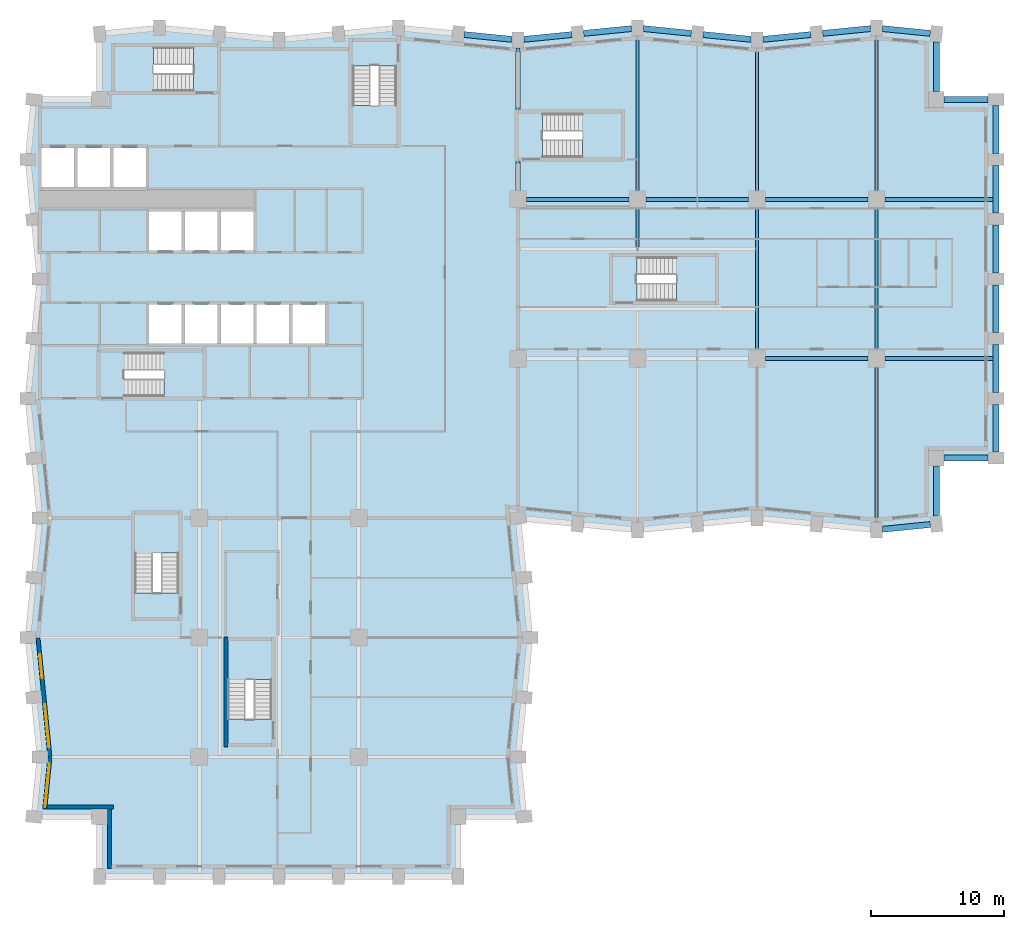
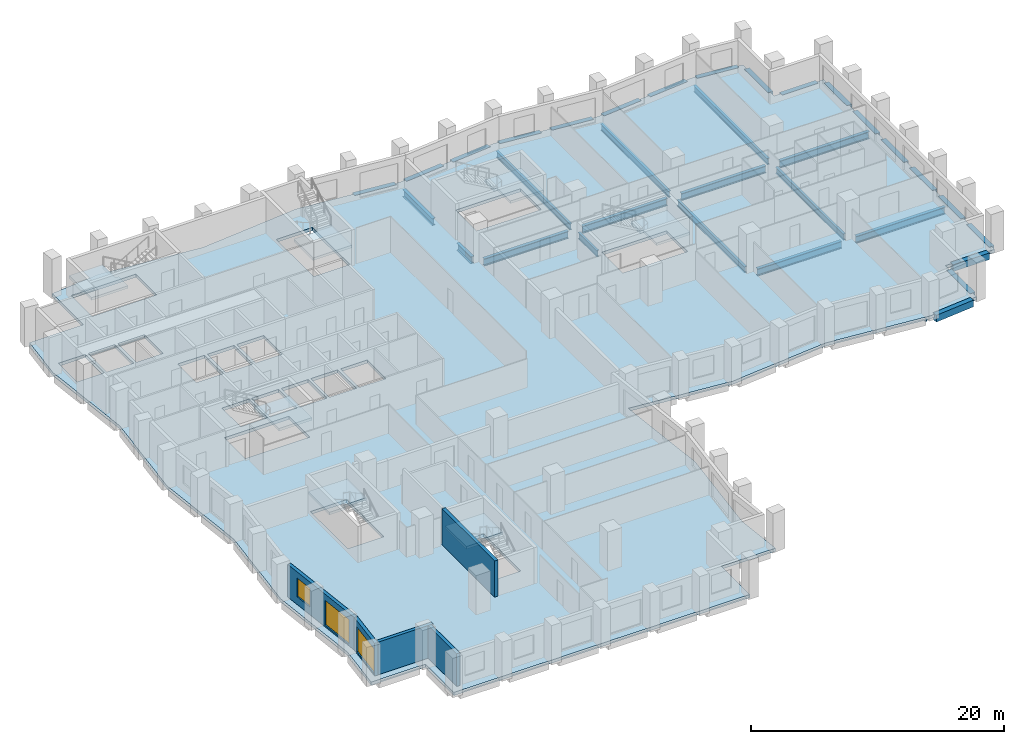
# One storey, part 2 of 11: 34 beams, 8 slabs, 5 walls, 3 windows, 3 openings, 7 elements without a shape of their own.
"""IFC4 building model written with IfcOpenShell, lengths in metres."""

from ifc_helpers import new_model, si_unit, direction, frame, frame_2d, origin, origin_2d, place, context, subcontext, project, spatial, polyline, rectangle, i_section, outline, extrude, material, layer, layer_set, material_profile, profile_set, type_object, element, fill, aggregate, save


model = new_model("IFC4")

# Units and contexts
model_context = context("Model", 3, precision=1e-05, world=origin(), true_north=direction((0.0, 1.0)))
body_context = subcontext(model_context, "Body", "Model", "MODEL_VIEW")
ifc_project = project(units=[si_unit("LENGTHUNIT", "METRE"), si_unit("AREAUNIT", "SQUARE_METRE"), si_unit("VOLUMEUNIT", "CUBIC_METRE"), si_unit("PLANEANGLEUNIT", "RADIAN"), si_unit("MASSUNIT", "GRAM", prefix="KILO")], contexts=[model_context])

# Site, building, storey
site_placement = place(None, origin())
site = spatial("IfcSite", under=ifc_project, at=site_placement, CompositionType="ELEMENT")
building_placement = place(site_placement, origin())
building = spatial("IfcBuilding", under=site, at=building_placement, Name="Brondeck Convention Tower", CompositionType="ELEMENT")
storey_placement = place(building_placement, frame((0.0, 0.0, 126.5)))
storey = spatial("IfcBuildingStorey", under=building, at=storey_placement, Name="L30", CompositionType="ELEMENT", Elevation=126.5)

# Beams
ifc_material_1 = material(Name="Steel S355", Category="steel")
ifc_material_profile_1 = material_profile(ifc_material_1, i_section(OverallWidth=0.219970703125, OverallDepth=0.60009765625, WebThickness=0.011962890625, FlangeThickness=0.01904296875, FilletRadius=0.02392578125, at=origin_2d()), Name="IPE 600")
ifc_profile_set_1 = profile_set([ifc_material_profile_1], Name="Steel S355")
beam_type_1 = type_object("IfcBeamType", Name="Floor beam IPE 600", PredefinedType="BEAM", material=ifc_profile_set_1)
beam_1_placement = place(storey_placement, frame((45.0, 51.64990234375, -0.60009765625), z_axis=(0.0, 1.0, 0.0), x_axis=(-1.0, 0.0, 0.0)))
element("IfcBeam", 1, at=beam_1_placement, inside=storey, type_object=beam_type_1, Name="STR-FB-L30-002", PredefinedType="BEAM", context=body_context, shape_type="SweptSolid", body=[
    extrude(i_section(OverallWidth=0.219970703125, OverallDepth=0.60009765625, WebThickness=0.011962890625, FlangeThickness=0.01904296875, FilletRadius=0.02392578125, at=origin_2d()), origin(), (0.0, 0.0, 1.0), 11.650146484375),
])
beam_2_placement = place(storey_placement, frame((54.0, 39.64990234375, -0.60009765625), z_axis=(0.0, 1.0, 0.0), x_axis=(-1.0, 0.0, 0.0)))
element("IfcBeam", 2, at=beam_2_placement, inside=storey, type_object=beam_type_1, Name="STR-FB-L30-004", PredefinedType="BEAM", context=body_context, shape_type="SweptSolid", body=[
    extrude(i_section(OverallWidth=0.219970703125, OverallDepth=0.60009765625, WebThickness=0.011962890625, FlangeThickness=0.01904296875, FilletRadius=0.02392578125, at=origin_2d()), origin(), (0.0, 0.0, 1.0), 10.7001953125),
])
beam_3_placement = place(storey_placement, frame((54.0, 51.64990234375, -0.60009765625), z_axis=(0.0, 1.0, 0.0), x_axis=(-1.0, 0.0, 0.0)))
element("IfcBeam", 3, at=beam_3_placement, inside=storey, type_object=beam_type_1, Name="STR-FB-L30-005", PredefinedType="BEAM", context=body_context, shape_type="SweptSolid", body=[
    extrude(i_section(OverallWidth=0.219970703125, OverallDepth=0.60009765625, WebThickness=0.011962890625, FlangeThickness=0.01904296875, FilletRadius=0.02392578125, at=origin_2d()), origin(), (0.0, 0.0, 1.0), 10.75),
])
beam_4_placement = place(storey_placement, frame((63.0, 26.699951171875, -0.60009765625), z_axis=(0.0, 1.0, 0.0), x_axis=(-1.0, 0.0, 0.0)))
element("IfcBeam", 4, at=beam_4_placement, inside=storey, type_object=beam_type_1, Name="STR-FB-L30-006", PredefinedType="BEAM", context=body_context, shape_type="SweptSolid", body=[
    extrude(i_section(OverallWidth=0.219970703125, OverallDepth=0.60009765625, WebThickness=0.011962890625, FlangeThickness=0.01904296875, FilletRadius=0.02392578125, at=origin_2d()), origin(), (0.0, 0.0, 1.0), 11.650146484375),
])
beam_5_placement = place(storey_placement, frame((63.0, 39.64990234375, -0.60009765625), z_axis=(0.0, 1.0, 0.0), x_axis=(-1.0, 0.0, 0.0)))
element("IfcBeam", 5, at=beam_5_placement, inside=storey, type_object=beam_type_1, Name="STR-FB-L30-007", PredefinedType="BEAM", context=body_context, shape_type="SweptSolid", body=[
    extrude(i_section(OverallWidth=0.219970703125, OverallDepth=0.60009765625, WebThickness=0.011962890625, FlangeThickness=0.01904296875, FilletRadius=0.02392578125, at=origin_2d()), origin(), (0.0, 0.0, 1.0), 10.7001953125),
])
beam_6_placement = place(storey_placement, frame((63.0, 51.64990234375, -0.60009765625), z_axis=(0.0, 1.0, 0.0), x_axis=(-1.0, 0.0, 0.0)))
element("IfcBeam", 6, at=beam_6_placement, inside=storey, type_object=beam_type_1, Name="STR-FB-L30-008", PredefinedType="BEAM", context=body_context, shape_type="SweptSolid", body=[
    extrude(i_section(OverallWidth=0.219970703125, OverallDepth=0.60009765625, WebThickness=0.011962890625, FlangeThickness=0.01904296875, FilletRadius=0.02392578125, at=origin_2d()), origin(), (0.0, 0.0, 1.0), 11.650146484375),
])
beam_7_placement = place(storey_placement, frame((45.0, 47.39990234375, -0.60009765625), z_axis=(0.0, 1.0, 0.0), x_axis=(-1.0, 0.0, 0.0)))
element("IfcBeam", 7, at=beam_7_placement, inside=storey, type_object=beam_type_1, Name="STR-FB-L30-015", PredefinedType="BEAM", context=body_context, shape_type="SweptSolid", body=[
    extrude(i_section(OverallWidth=0.219970703125, OverallDepth=0.60009765625, WebThickness=0.011962890625, FlangeThickness=0.01904296875, FilletRadius=0.02392578125, at=origin_2d()), origin(), (0.0, 0.0, 1.0), 2.9501953125),
])
ifc_material_profile_2 = material_profile(ifc_material_1, i_section(OverallWidth=0.300048828125, OverallDepth=0.699951171875, WebThickness=0.01708984375, FlangeThickness=0.031982421875, FilletRadius=0.027099609375, at=origin_2d()), Name="HEB 700")
ifc_profile_set_2 = profile_set([ifc_material_profile_2], Name="Steel S355")
beam_type_2 = type_object("IfcBeamType", Name="Girder HEB 700", PredefinedType="BEAM", material=ifc_profile_set_2)
beam_8_placement = place(storey_placement, frame((54.64990234375, 39.0, -0.64990234375), z_axis=(1.0, 0.0, 0.0), x_axis=(0.0, 1.0, 0.0)))
element("IfcBeam", 8, at=beam_8_placement, inside=storey, type_object=beam_type_2, Name="STR-GR-L30-003", PredefinedType="BEAM", context=body_context, shape_type="SweptSolid", body=[
    extrude(i_section(OverallWidth=0.300048828125, OverallDepth=0.699951171875, WebThickness=0.01708984375, FlangeThickness=0.031982421875, FilletRadius=0.027099609375, at=origin_2d()), origin(), (0.0, 0.0, 1.0), 7.7001953125),
])
beam_9_placement = place(storey_placement, frame((63.64990234375, 39.0, -0.64990234375), z_axis=(1.0, 0.0, 0.0), x_axis=(0.0, 1.0, 0.0)))
element("IfcBeam", 9, at=beam_9_placement, inside=storey, type_object=beam_type_2, Name="STR-GR-L30-004", PredefinedType="BEAM", context=body_context, shape_type="SweptSolid", body=[
    extrude(i_section(OverallWidth=0.300048828125, OverallDepth=0.699951171875, WebThickness=0.01708984375, FlangeThickness=0.031982421875, FilletRadius=0.027099609375, at=origin_2d()), origin(), (0.0, 0.0, 1.0), 8.125),
])
for number, where, z_axis, x_axis, name in (
    (10, (36.64990234375, 51.0, -0.64990234375), (1.0, 0.0, 0.0), (0.0, 1.0, 0.0), "STR-GR-L30-005"),
    (11, (45.64990234375, 51.0, -0.64990234375), (1.0, 0.0, 0.0), (0.0, 1.0, 0.0), "STR-GR-L30-006"),
    (12, (54.64990234375, 51.0, -0.64990234375), (1.0, 0.0, 0.0), (0.0, 1.0, 0.0), "STR-GR-L30-007"),
):
    element("IfcBeam", number, at=place(storey_placement, frame(where, z_axis=z_axis, x_axis=x_axis)), inside=storey, type_object=beam_type_2, Name=name, PredefinedType="BEAM", context=body_context, shape_type="SweptSolid", body=[
        extrude(i_section(OverallWidth=0.300048828125, OverallDepth=0.699951171875, WebThickness=0.01708984375, FlangeThickness=0.031982421875, FilletRadius=0.027099609375, at=origin_2d()), origin(), (0.0, 0.0, 1.0), 7.7001953125),
    ])
beam_10_placement = place(storey_placement, frame((63.64990234375, 51.0, -0.64990234375), z_axis=(1.0, 0.0, 0.0), x_axis=(0.0, 1.0, 0.0)))
element("IfcBeam", 13, at=beam_10_placement, inside=storey, type_object=beam_type_2, Name="STR-GR-L30-008", PredefinedType="BEAM", context=body_context, shape_type="SweptSolid", body=[
    extrude(i_section(OverallWidth=0.300048828125, OverallDepth=0.699951171875, WebThickness=0.01708984375, FlangeThickness=0.031982421875, FilletRadius=0.027099609375, at=origin_2d()), origin(), (0.0, 0.0, 1.0), 8.125),
])
beam_11_placement = place(storey_placement, frame((36.0, 51.64990234375, -0.64990234375), z_axis=(0.0, 1.0, 0.0), x_axis=(-1.0, 0.0, 0.0)))
element("IfcBeam", 14, at=beam_11_placement, inside=storey, type_object=beam_type_2, Name="STR-GR-L30-011", PredefinedType="BEAM", context=body_context, shape_type="SweptSolid", body=[
    extrude(i_section(OverallWidth=0.300048828125, OverallDepth=0.699951171875, WebThickness=0.01708984375, FlangeThickness=0.031982421875, FilletRadius=0.027099609375, at=origin_2d()), origin(), (0.0, 0.0, 1.0), 2.22998046875),
])
beam_12_placement = place(storey_placement, frame((36.0, 57.719970703125, -0.64990234375), z_axis=(0.0, 1.0, 0.0), x_axis=(-1.0, 0.0, 0.0)))
element("IfcBeam", 15, at=beam_12_placement, inside=storey, type_object=beam_type_2, Name="STR-GR-L30-012", PredefinedType="BEAM", context=body_context, shape_type="SweptSolid", body=[
    extrude(i_section(OverallWidth=0.300048828125, OverallDepth=0.699951171875, WebThickness=0.01708984375, FlangeThickness=0.031982421875, FilletRadius=0.027099609375, at=origin_2d()), origin(), (0.0, 0.0, 1.0), 4.679931640625),
])
ifc_material_2 = material(Name="Concrete C70/85", Category="concrete")
ifc_material_profile_3 = material_profile(ifc_material_2, rectangle(XDim=0.449951171875, YDim=0.64990234375, at=origin_2d()), Name="Precast spandrel 450x650 Concrete C70/85")
ifc_profile_set_3 = profile_set([ifc_material_profile_3], Name="Concrete C70/85")
beam_type_3 = type_object("IfcBeamType", Name="Precast spandrel 450x650 Concrete C70/85", PredefinedType="SPANDREL", material=ifc_profile_set_3)
beam_13_placement = place(storey_placement, frame((63.449951171875, 26.14501953125, -0.324951171875), z_axis=(0.995040528141, 0.099470334057, 0.0), x_axis=(-0.099470334057, 0.995040528141, 0.0)))
element("IfcBeam", 16, at=beam_13_placement, inside=storey, type_object=beam_type_3, Name="STR-SP-L30-020", PredefinedType="SPANDREL", context=body_context, shape_type="SweptSolid", body=[
    extrude(rectangle(XDim=0.449951171875, YDim=0.64990234375, at=origin_2d()), origin(), (0.0, 0.0, 1.0), 3.620361328125),
])
beam_14_placement = place(storey_placement, frame((67.5, 27.153076171875, -0.324951171875), z_axis=(0.0, 1.0, 0.0), x_axis=(-1.0, 0.0, 0.0)))
element("IfcBeam", 17, at=beam_14_placement, inside=storey, type_object=beam_type_3, Name="STR-SP-L30-021", PredefinedType="SPANDREL", context=body_context, shape_type="SweptSolid", body=[
    extrude(rectangle(XDim=0.449951171875, YDim=0.64990234375, at=origin_2d()), origin(), (0.0, 0.0, 1.0), 3.746826171875),
])
beam_15_placement = place(storey_placement, frame((68.10009765625, 31.5, -0.324951171875), z_axis=(1.0, 0.0, 0.0), x_axis=(0.0, 1.0, 0.0)))
element("IfcBeam", 18, at=beam_15_placement, inside=storey, type_object=beam_type_3, Name="STR-SP-L30-022", PredefinedType="SPANDREL", context=body_context, shape_type="SweptSolid", body=[
    extrude(rectangle(XDim=0.449951171875, YDim=0.64990234375, at=origin_2d()), origin(), (0.0, 0.0, 1.0), 3.2998046875),
])
for number, where, z_axis, x_axis, name in (
    (19, (72.0, 31.949951171875, -0.324951171875), (0.0, 1.0, 0.0), (-1.0, 0.0, 0.0), "STR-SP-L30-023"),
    (20, (72.0, 36.449951171875, -0.324951171875), (0.0, 1.0, 0.0), (-1.0, 0.0, 0.0), "STR-SP-L30-024"),
    (21, (72.0, 40.949951171875, -0.324951171875), (0.0, 1.0, 0.0), (-1.0, 0.0, 0.0), "STR-SP-L30-025"),
    (22, (72.0, 45.449951171875, -0.324951171875), (0.0, 1.0, 0.0), (-1.0, 0.0, 0.0), "STR-SP-L30-026"),
    (23, (72.0, 49.949951171875, -0.324951171875), (0.0, 1.0, 0.0), (-1.0, 0.0, 0.0), "STR-SP-L30-027"),
    (24, (72.0, 54.449951171875, -0.324951171875), (0.0, 1.0, 0.0), (-1.0, 0.0, 0.0), "STR-SP-L30-028"),
):
    element("IfcBeam", number, at=place(storey_placement, frame(where, z_axis=z_axis, x_axis=x_axis)), inside=storey, type_object=beam_type_3, Name=name, PredefinedType="SPANDREL", context=body_context, shape_type="SweptSolid", body=[
        extrude(rectangle(XDim=0.449951171875, YDim=0.64990234375, at=origin_2d()), origin(), (0.0, 0.0, 1.0), 3.60009765625),
    ])
beam_16_placement = place(storey_placement, frame((71.39990234375, 58.5, -0.324951171875), z_axis=(-1.0, 0.0, 0.0), x_axis=(0.0, -1.0, 0.0)))
element("IfcBeam", 25, at=beam_16_placement, inside=storey, type_object=beam_type_3, Name="STR-SP-L30-029", PredefinedType="SPANDREL", context=body_context, shape_type="SweptSolid", body=[
    extrude(rectangle(XDim=0.449951171875, YDim=0.64990234375, at=origin_2d()), origin(), (0.0, 0.0, 1.0), 3.2998046875),
])
beam_17_placement = place(storey_placement, frame((67.5, 59.10009765625, -0.324951171875), z_axis=(0.0, 1.0, 0.0), x_axis=(-1.0, 0.0, 0.0)))
element("IfcBeam", 26, at=beam_17_placement, inside=storey, type_object=beam_type_3, Name="STR-SP-L30-030", PredefinedType="SPANDREL", context=body_context, shape_type="SweptSolid", body=[
    extrude(rectangle(XDim=0.449951171875, YDim=0.64990234375, at=origin_2d()), origin(), (0.0, 0.0, 1.0), 3.746826171875),
])
for number, where, z_axis, x_axis, name in (
    (27, (67.05224609375, 63.494873046875, -0.324951171875), (-0.995040528141, 0.099470334057, 0.0), (-0.099470334057, -0.995040528141, 0.0), "STR-SP-L30-031"),
    (28, (62.550048828125, 63.85498046875, -0.324951171875), (-0.995040528141, -0.099470334057, 0.0), (0.099470334057, -0.995040528141, 0.0), "STR-SP-L30-032"),
    (29, (58.05224609375, 63.4052734375, -0.324951171875), (-0.995033851182, -0.099537103649, 0.0), (0.099537103649, -0.995033851182, 0.0), "STR-SP-L30-033"),
    (30, (53.550048828125, 63.044921875, -0.324951171875), (-0.995033851182, 0.099537103649, 0.0), (-0.099537103649, -0.995033851182, 0.0), "STR-SP-L30-034"),
    (31, (49.05224609375, 63.494873046875, -0.324951171875), (-0.995040528141, 0.099470334057, 0.0), (-0.099470334057, -0.995040528141, 0.0), "STR-SP-L30-035"),
    (32, (44.550048828125, 63.85498046875, -0.324951171875), (-0.995040528141, -0.099470334057, 0.0), (0.099470334057, -0.995040528141, 0.0), "STR-SP-L30-036"),
    (33, (40.05224609375, 63.4052734375, -0.324951171875), (-0.995033851182, -0.099537103649, 0.0), (0.099537103649, -0.995033851182, 0.0), "STR-SP-L30-037"),
    (34, (35.550048828125, 63.044921875, -0.324951171875), (-0.995033851182, 0.099537103649, 0.0), (-0.099537103649, -0.995033851182, 0.0), "STR-SP-L30-038"),
):
    element("IfcBeam", number, at=place(storey_placement, frame(where, z_axis=z_axis, x_axis=x_axis)), inside=storey, type_object=beam_type_3, Name=name, PredefinedType="SPANDREL", context=body_context, shape_type="SweptSolid", body=[
        extrude(rectangle(XDim=0.449951171875, YDim=0.64990234375, at=origin_2d()), origin(), (0.0, 0.0, 1.0), 3.620361328125),
    ])

# Slab
ifc_material_3 = material(Name="Concrete C35/45", Category="concrete")
ifc_layer_1 = layer(ifc_material_3, 0.300048828125)
ifc_layer_set_1 = layer_set([ifc_layer_1], Name="Composite floor slab 300")
slab_type_1 = type_object("IfcSlabType", Name="Composite floor slab 300", PredefinedType="FLOOR", material=ifc_layer_set_1)
slab_1_placement = place(storey_placement, frame((0.0, 0.0, -0.300048828125)))
element("IfcSlab", 35, at=slab_1_placement, inside=storey, type_object=slab_type_1, Name="STR-SL-L30", PredefinedType="FLOOR", context=body_context, shape_type="SweptSolid", body=[
    extrude(outline(polyline([(4.5, 4.5), (-0.449951171875, 4.5), (0.0, 9.0), (-0.89990234375, 18.0), (0.0, 27.0), (-0.89990234375, 36.0), (0.0, 45.0), (-0.89990234375, 54.0), (-0.449951171875, 58.5), (4.5, 58.5), (4.5, 63.449951171875), (9.0, 63.89990234375), (18.0, 63.0), (27.0, 63.89990234375), (36.0, 63.0), (45.0, 63.89990234375), (54.0, 63.0), (63.0, 63.89990234375), (67.5, 63.449951171875), (67.5, 58.5), (72.0, 58.5), (72.0, 31.5), (67.5, 31.5), (67.5, 26.550048828125), (63.0, 26.10009765625), (54.0, 27.0), (45.0, 26.10009765625), (36.0, 27.0), (36.89990234375, 18.0), (36.0, 9.0), (36.449951171875, 4.5), (31.5, 4.5), (31.5, 0.0), (4.5, 0.0), (4.5, 4.5)]), holes=[polyline([(10.447998046875, 27.248046875), (7.152099609375, 27.248046875), (7.152099609375, 21.35205078125), (10.447998046875, 21.35205078125), (10.447998046875, 27.248046875)]), polyline([(12.248046875, 36.152099609375), (12.248046875, 39.447998046875), (6.35205078125, 39.447998046875), (6.35205078125, 36.152099609375), (12.248046875, 36.152099609375)]), polyline([(10.675048828125, 40.125), (10.675048828125, 43.074951171875), (8.22509765625, 43.074951171875), (8.22509765625, 40.125), (10.675048828125, 40.125)]), polyline([(10.675048828125, 47.125), (10.675048828125, 50.074951171875), (8.22509765625, 50.074951171875), (8.22509765625, 47.125), (10.675048828125, 47.125)]), polyline([(13.375, 47.125), (13.375, 50.074951171875), (10.925048828125, 50.074951171875), (10.925048828125, 47.125), (13.375, 47.125)]), polyline([(2.574951171875, 51.925048828125), (2.574951171875, 54.875), (0.125, 54.875), (0.125, 51.925048828125), (2.574951171875, 51.925048828125)]), polyline([(5.27490234375, 51.925048828125), (5.27490234375, 54.875), (2.824951171875, 54.875), (2.824951171875, 51.925048828125), (5.27490234375, 51.925048828125)]), polyline([(5.52490234375, 51.925048828125), (7.97509765625, 51.925048828125), (7.97509765625, 54.875), (5.52490234375, 54.875), (5.52490234375, 51.925048828125)]), polyline([(11.548095703125, 62.447998046875), (5.652099609375, 62.447998046875), (5.652099609375, 59.152099609375), (11.548095703125, 59.152099609375), (11.548095703125, 62.447998046875)]), polyline([(17.447998046875, 17.748046875), (14.152099609375, 17.748046875), (14.152099609375, 11.85205078125), (17.447998046875, 11.85205078125), (17.447998046875, 17.748046875)]), polyline([(13.375, 40.125), (13.375, 43.074951171875), (10.925048828125, 43.074951171875), (10.925048828125, 40.125), (13.375, 40.125)]), polyline([(16.074951171875, 40.125), (16.074951171875, 43.074951171875), (13.625, 43.074951171875), (13.625, 40.125), (16.074951171875, 40.125)]), polyline([(18.77490234375, 40.125), (18.77490234375, 43.074951171875), (16.324951171875, 43.074951171875), (16.324951171875, 40.125), (18.77490234375, 40.125)]), polyline([(21.47509765625, 40.125), (21.47509765625, 43.074951171875), (19.02490234375, 43.074951171875), (19.02490234375, 40.125), (21.47509765625, 40.125)]), polyline([(50.847900390625, 43.35205078125), (50.847900390625, 46.64794921875), (44.951904296875, 46.64794921875), (44.951904296875, 43.35205078125), (50.847900390625, 43.35205078125)]), polyline([(16.074951171875, 47.125), (16.074951171875, 50.074951171875), (13.625, 50.074951171875), (13.625, 47.125), (16.074951171875, 47.125)]), polyline([(37.85205078125, 54.152099609375), (43.748046875, 54.152099609375), (43.748046875, 57.447998046875), (37.85205078125, 57.447998046875), (37.85205078125, 54.152099609375)]), polyline([(23.552001953125, 61.048095703125), (23.552001953125, 55.152099609375), (26.847900390625, 55.152099609375), (26.847900390625, 61.048095703125), (23.552001953125, 61.048095703125)])]), origin(), (0.0, 0.0, 1.0), 0.300048828125),
])

# Stair, slab
ifc_material_4 = material(Name="Precast concrete C50/60", Category="concrete")
stair_type = type_object("IfcStairType", Name="Core stair 22 risers 172.73 mm riser 300 mm going 1350 wide", PredefinedType="HALF_TURN_STAIR", material=ifc_material_4)
stair_1_placement = place(storey_placement, origin())
stair_1 = element("IfcStair", 36, at=stair_1_placement, inside=storey, type_object=stair_type, Name="ST-1 L30 stair", PredefinedType="HALF_TURN_STAIR")
ifc_layer_2 = layer(ifc_material_4, 0.25)
ifc_layer_set_2 = layer_set([ifc_layer_2], Name="Core stair landing 250 Precast concrete C50/60")
slab_type_2 = type_object("IfcSlabType", Name="Core stair landing 250 Precast concrete C50/60", PredefinedType="LANDING", material=ifc_layer_set_2)
slab_2_placement = place(storey_placement, frame((0.0, 0.0, 1.64990234375)))
slab_2 = element("IfcSlab", 37, at=slab_2_placement, type_object=slab_type_2, Name="ST-1 landing 1", PredefinedType="LANDING", context=body_context, shape_type="SweptSolid", body=[
    extrude(outline(polyline([(9.347900390625, 37.5), (9.35009765625, 37.5), (9.35009765625, 38.10009765625), (9.050048828125, 38.10009765625), (9.050048828125, 39.570068359375), (12.3701171875, 39.570068359375), (12.3701171875, 36.030029296875), (9.347900390625, 36.030029296875), (9.347900390625, 37.5)])), origin(), (0.0, 0.0, 1.0), 0.25),
])
aggregate(stair_1, [slab_2])

stair_2_placement = place(storey_placement, origin())
stair_2 = element("IfcStair", 38, at=stair_2_placement, inside=storey, type_object=stair_type, Name="ST-2 L30 stair", PredefinedType="HALF_TURN_STAIR")
slab_3_placement = place(storey_placement, frame((0.0, 0.0, 1.64990234375)))
slab_3 = element("IfcSlab", 39, at=slab_3_placement, type_object=slab_type_2, Name="ST-2 landing 1", PredefinedType="LANDING", context=body_context, shape_type="SweptSolid", body=[
    extrude(outline(polyline([(23.429931640625, 58.052001953125), (24.89990234375, 58.052001953125), (24.89990234375, 58.050048828125), (25.5, 58.050048828125), (25.5, 58.35009765625), (26.969970703125, 58.35009765625), (26.969970703125, 55.030029296875), (23.429931640625, 55.030029296875), (23.429931640625, 58.052001953125)])), origin(), (0.0, 0.0, 1.0), 0.25),
])
aggregate(stair_2, [slab_3])

stair_3_placement = place(storey_placement, origin())
stair_3 = element("IfcStair", 40, at=stair_3_placement, inside=storey, type_object=stair_type, Name="ST-3 L30 stair", PredefinedType="HALF_TURN_STAIR")
slab_4_placement = place(storey_placement, frame((0.0, 0.0, 1.64990234375)))
slab_4 = element("IfcSlab", 41, at=slab_4_placement, type_object=slab_type_2, Name="ST-3 landing 1", PredefinedType="LANDING", context=body_context, shape_type="SweptSolid", body=[
    extrude(outline(polyline([(8.85009765625, 60.5), (8.85009765625, 59.030029296875), (5.530029296875, 59.030029296875), (5.530029296875, 62.570068359375), (8.552001953125, 62.570068359375), (8.552001953125, 61.10009765625), (8.550048828125, 61.10009765625), (8.550048828125, 60.5), (8.85009765625, 60.5)])), origin(), (0.0, 0.0, 1.0), 0.25),
])
aggregate(stair_3, [slab_4])

stair_4_placement = place(storey_placement, origin())
stair_4 = element("IfcStair", 42, at=stair_4_placement, inside=storey, type_object=stair_type, Name="ST-AE L30 stair", PredefinedType="HALF_TURN_STAIR")
slab_5_placement = place(storey_placement, frame((0.0, 0.0, 1.64990234375)))
slab_5 = element("IfcSlab", 43, at=slab_5_placement, type_object=slab_type_2, Name="ST-AE landing 1", PredefinedType="LANDING", context=body_context, shape_type="SweptSolid", body=[
    extrude(outline(polyline([(40.847900390625, 55.5), (40.85009765625, 55.5), (40.85009765625, 56.10009765625), (40.550048828125, 56.10009765625), (40.550048828125, 57.570068359375), (43.8701171875, 57.570068359375), (43.8701171875, 54.030029296875), (40.847900390625, 54.030029296875), (40.847900390625, 55.5)])), origin(), (0.0, 0.0, 1.0), 0.25),
])
aggregate(stair_4, [slab_5])

stair_5_placement = place(storey_placement, origin())
stair_5 = element("IfcStair", 44, at=stair_5_placement, inside=storey, type_object=stair_type, Name="ST-BE L30 stair", PredefinedType="HALF_TURN_STAIR")
slab_6_placement = place(storey_placement, frame((0.0, 0.0, 1.64990234375)))
slab_6 = element("IfcSlab", 45, at=slab_6_placement, type_object=slab_type_2, Name="ST-BE landing 1", PredefinedType="LANDING", context=body_context, shape_type="SweptSolid", body=[
    extrude(outline(polyline([(7.030029296875, 24.050048828125), (7.030029296875, 27.3701171875), (10.570068359375, 27.3701171875), (10.570068359375, 24.347900390625), (9.10009765625, 24.347900390625), (9.10009765625, 24.35009765625), (8.5, 24.35009765625), (8.5, 24.050048828125), (7.030029296875, 24.050048828125)])), origin(), (0.0, 0.0, 1.0), 0.25),
])
aggregate(stair_5, [slab_6])

stair_6_placement = place(storey_placement, origin())
stair_6 = element("IfcStair", 46, at=stair_6_placement, inside=storey, type_object=stair_type, Name="ST-AF L30 stair", PredefinedType="HALF_TURN_STAIR")
slab_7_placement = place(storey_placement, frame((0.0, 0.0, 1.64990234375)))
slab_7 = element("IfcSlab", 47, at=slab_7_placement, type_object=slab_type_2, Name="ST-AF landing 1", PredefinedType="LANDING", context=body_context, shape_type="SweptSolid", body=[
    extrude(outline(polyline([(47.947998046875, 44.699951171875), (47.949951171875, 44.699951171875), (47.949951171875, 45.300048828125), (47.64990234375, 45.300048828125), (47.64990234375, 46.77001953125), (50.969970703125, 46.77001953125), (50.969970703125, 43.22998046875), (47.947998046875, 43.22998046875), (47.947998046875, 44.699951171875)])), origin(), (0.0, 0.0, 1.0), 0.25),
])
aggregate(stair_6, [slab_7])

stair_7_placement = place(storey_placement, origin())
stair_7 = element("IfcStair", 48, at=stair_7_placement, inside=storey, type_object=stair_type, Name="ST-BF L30 stair", PredefinedType="HALF_TURN_STAIR")
slab_8_placement = place(storey_placement, frame((0.0, 0.0, 1.64990234375)))
slab_8 = element("IfcSlab", 49, at=slab_8_placement, type_object=slab_type_2, Name="ST-BF landing 1", PredefinedType="LANDING", context=body_context, shape_type="SweptSolid", body=[
    extrude(outline(polyline([(14.030029296875, 14.550048828125), (14.030029296875, 17.8701171875), (17.570068359375, 17.8701171875), (17.570068359375, 14.847900390625), (16.10009765625, 14.847900390625), (16.10009765625, 14.85009765625), (15.5, 14.85009765625), (15.5, 14.550048828125), (14.030029296875, 14.550048828125)])), origin(), (0.0, 0.0, 1.0), 0.25),
])
aggregate(stair_7, [slab_8])

# Wall, openings, windows
ifc_material_5 = material(Name="Precast concrete C50/60 bronze finish", Category="concrete")
ifc_layer_3 = layer(ifc_material_5, 0.070068359375, Name="Bronze precast facing")
ifc_material_6 = material(Name="Mineral wool")
ifc_layer_4 = layer(ifc_material_6, 0.159912109375, Name="Insulation")
ifc_layer_5 = layer(ifc_material_3, 0.070068359375, Name="Backing")
ifc_layer_set_3 = layer_set([ifc_layer_3, ifc_layer_4, ifc_layer_5], Name="External infill wall, precast concrete C50/60 bronze facing")
wall_type_1 = type_object("IfcWallType", Name="External infill wall, precast concrete C50/60 bronze facing", PredefinedType="SOLIDWALL", material=ifc_layer_set_3)
wall_1_placement = place(storey_placement, frame((0.755126953125, 8.985107421875, 0.0), z_axis=(0.0, 0.0, 1.0), x_axis=(-0.099495688264, 0.995037993253, 0.0)))
wall_1 = element("IfcWall", 50, at=wall_1_placement, inside=storey, type_object=wall_type_1, Name="ENV-EW-L30-P0-B-W-10", PredefinedType="SOLIDWALL", context=body_context, shape_type="SweptSolid", body=[
    extrude(rectangle(XDim=9.030029296875, YDim=0.300048828125, at=frame_2d((4.51513671875, 0.0))), origin(), (0.0, 0.0, 1.0), 3.14990234375),
])
opening_1_placement = place(wall_1_placement, frame((0.701171875, 0.0, 0.14990234375)))
opening_1 = element("IfcOpeningElement", 51, at=opening_1_placement, cuts=wall_1, Name="Opening W9", PredefinedType="OPENING", context=body_context, shape_type="SweptSolid", body=[
    extrude(rectangle(XDim=3.300048828125, YDim=2.39990234375, at=frame_2d((1.64990234375, 1.199951171875))), frame((0.0, 0.159912109375, 0.0), z_axis=(0.0, -1.0, 0.0), x_axis=(1.0, 0.0, 0.0)), (0.0, 0.0, 1.0), 0.320068359375),
])
opening_2_placement = place(wall_1_placement, frame((5.9736328125, 0.0, 0.75)))
opening_2 = element("IfcOpeningElement", 52, at=opening_2_placement, cuts=wall_1, Name="Opening W10", PredefinedType="OPENING", context=body_context, shape_type="SweptSolid", body=[
    extrude(rectangle(XDim=1.800048828125, YDim=1.800048828125, at=frame_2d((0.89990234375, 0.89990234375))), frame((0.0, 0.159912109375, 0.0), z_axis=(0.0, -1.0, 0.0), x_axis=(1.0, 0.0, 0.0)), (0.0, 0.0, 1.0), 0.320068359375),
])
ifc_material_7 = material(Name="Bronze tinted double glazing", Category="glass")
window_type_1 = type_object("IfcWindowType", Name="Glazed flute window, bronze tinted", PartitioningType="SINGLE_PANEL", PredefinedType="WINDOW", material=ifc_material_7)
window_1_placement = place(opening_1_placement, origin())
window_1 = element("IfcWindow", 53, at=window_1_placement, inside=storey, type_object=window_type_1, Name="ENV-WN-L30-P0-B-W-11", OverallHeight=2.39990234375, OverallWidth=3.300048828125, PartitioningType="SINGLE_PANEL", PredefinedType="WINDOW", context=body_context, shape_type="SweptSolid", body=[
    extrude(rectangle(XDim=3.300048828125, YDim=2.39990234375, at=frame_2d((1.64990234375, 1.199951171875))), frame((0.0, 0.030029296875, 0.0), z_axis=(0.0, -1.0, 0.0), x_axis=(1.0, 0.0, 0.0)), (0.0, 0.0, 1.0), 0.06005859375),
])
fill(opening_1, window_1)
window_type_2 = type_object("IfcWindowType", Name="Punched window, bronze tinted", PartitioningType="SINGLE_PANEL", PredefinedType="WINDOW", material=ifc_material_7)
window_2_placement = place(opening_2_placement, origin())
window_2 = element("IfcWindow", 54, at=window_2_placement, inside=storey, type_object=window_type_2, Name="ENV-WN-L30-P0-B-W-10", OverallHeight=1.800048828125, OverallWidth=1.800048828125, PartitioningType="SINGLE_PANEL", PredefinedType="WINDOW", context=body_context, shape_type="SweptSolid", body=[
    extrude(rectangle(XDim=1.800048828125, YDim=1.800048828125, at=frame_2d((0.89990234375, 0.89990234375))), frame((0.0, 0.030029296875, 0.0), z_axis=(0.0, -1.0, 0.0), x_axis=(1.0, 0.0, 0.0)), (0.0, 0.0, 1.0), 0.06005859375),
])
fill(opening_2, window_2)

# Wall, opening, window
wall_2_placement = place(storey_placement, frame((0.3623046875, 5.085205078125, 0.0), z_axis=(0.0, 0.0, 1.0), x_axis=(0.099485145752, 0.995039047362, 0.0)))
wall_2 = element("IfcWall", 55, at=wall_2_placement, inside=storey, type_object=wall_type_1, Name="ENV-EW-L30-P0-B-W-12", PredefinedType="SOLIDWALL", context=body_context, shape_type="SweptSolid", body=[
    extrude(rectangle(XDim=3.904296875, YDim=0.300048828125, at=frame_2d((1.9521484375, 0.0))), origin(), (0.0, 0.0, 1.0), 3.14990234375),
])
opening_3_placement = place(wall_2_placement, frame((0.14990234375, 0.0, 0.14990234375)))
opening_3 = element("IfcOpeningElement", 56, at=opening_3_placement, cuts=wall_2, Name="Opening W9", PredefinedType="OPENING", context=body_context, shape_type="SweptSolid", body=[
    extrude(rectangle(XDim=3.300048828125, YDim=2.39990234375, at=frame_2d((1.64990234375, 1.199951171875))), frame((0.0, 0.159912109375, 0.0), z_axis=(0.0, -1.0, 0.0), x_axis=(1.0, 0.0, 0.0)), (0.0, 0.0, 1.0), 0.320068359375),
])
window_3_placement = place(opening_3_placement, origin())
window_3 = element("IfcWindow", 57, at=window_3_placement, inside=storey, type_object=window_type_1, Name="ENV-WN-L30-P0-B-W-12", OverallHeight=2.39990234375, OverallWidth=3.300048828125, PartitioningType="SINGLE_PANEL", PredefinedType="WINDOW", context=body_context, shape_type="SweptSolid", body=[
    extrude(rectangle(XDim=3.300048828125, YDim=2.39990234375, at=frame_2d((1.64990234375, 1.199951171875))), frame((0.0, 0.030029296875, 0.0), z_axis=(0.0, -1.0, 0.0), x_axis=(1.0, 0.0, 0.0)), (0.0, 0.0, 1.0), 0.06005859375),
])
fill(opening_3, window_3)

# Walls
wall_3_placement = place(storey_placement, frame((5.550048828125, 5.25, 0.0), z_axis=(0.0, 0.0, 1.0), x_axis=(-1.0, 0.0, 0.0)))
element("IfcWall", 58, at=wall_3_placement, inside=storey, type_object=wall_type_1, Name="ENV-EW-L30-P0-NC-SWB0-01", PredefinedType="SOLIDWALL", context=body_context, shape_type="SweptSolid", body=[
    extrude(rectangle(XDim=5.015380859375, YDim=0.300048828125, at=frame_2d((2.5078125, 0.0))), origin(), (0.0, 0.0, 1.0), 3.14990234375),
])
wall_4_placement = place(storey_placement, frame((5.25, 0.60009765625, 0.0), z_axis=(0.0, 0.0, 1.0), x_axis=(0.0, 1.0, 0.0)))
element("IfcWall", 59, at=wall_4_placement, inside=storey, type_object=wall_type_1, Name="ENV-EW-L30-P0-NC-SWB0-02", PredefinedType="SOLIDWALL", context=body_context, shape_type="SweptSolid", body=[
    extrude(rectangle(XDim=4.5, YDim=0.300048828125, at=frame_2d((2.25, 0.0))), origin(), (0.0, 0.0, 1.0), 3.14990234375),
])
ifc_layer_6 = layer(ifc_material_2, 0.300048828125)
ifc_layer_set_4 = layer_set([ifc_layer_6], Name="Stair enclosure wall 300 Concrete C70/85")
wall_type_2 = type_object("IfcWallType", Name="Stair enclosure wall 300 Concrete C70/85", PredefinedType="SHEAR", material=ifc_layer_set_4)
wall_5_placement = place(storey_placement, frame((14.0, 9.75, 0.0), z_axis=(0.0, 0.0, 1.0), x_axis=(0.0, 1.0, 0.0)))
element("IfcWall", 60, at=wall_5_placement, inside=storey, type_object=wall_type_2, Name="L30 core wall", PredefinedType="SHEAR", context=body_context, shape_type="SweptSolid", body=[
    extrude(rectangle(XDim=8.300048828125, YDim=0.300048828125, at=frame_2d((4.14990234375, 0.0))), origin(), (0.0, 0.0, 1.0), 3.5),
])

save(model, "model.ifc")
